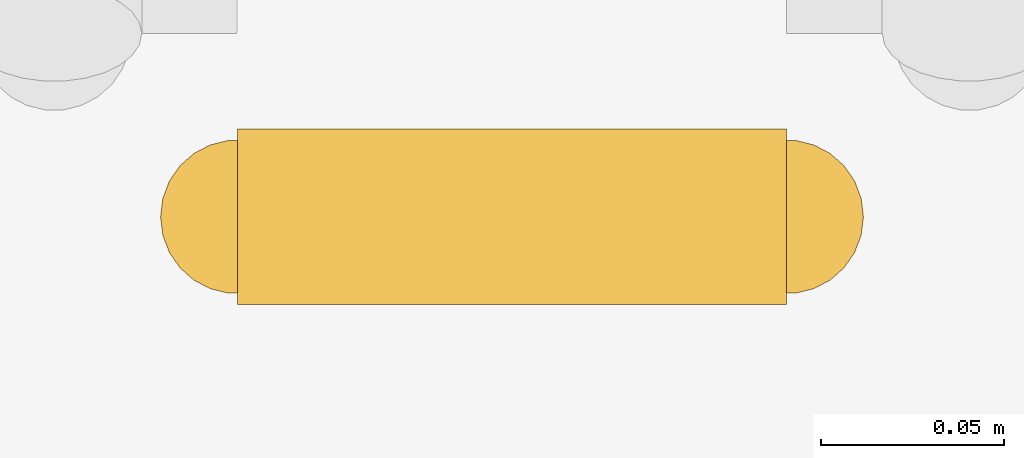
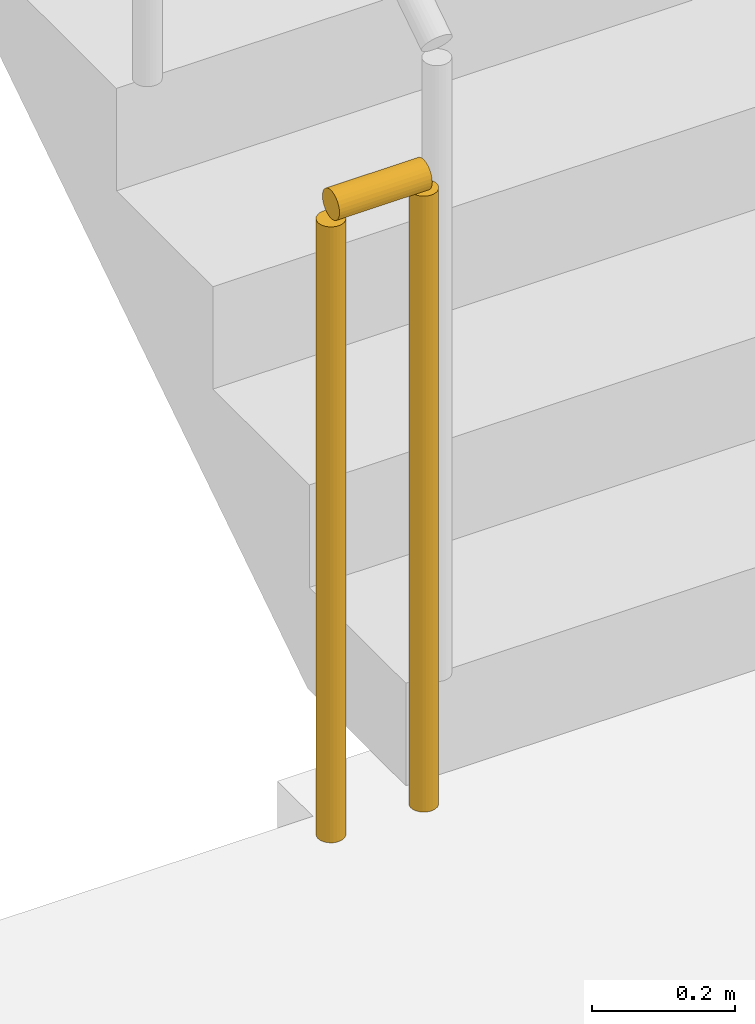
# One storey, part 15 of 20: 1 railing.
"""IFC4 building model written with IfcOpenShell, lengths in metres."""

from ifc_helpers import new_model, si_unit, direction, frame, origin, origin_2d, place, context, subcontext, project, spatial, circle, extrude, material, type_object, element, save


model = new_model("IFC4")

# Units and contexts
model_context = context("Model", 3, precision=1e-05, world=origin(), true_north=direction((0.0, 1.0)))
body_context = subcontext(model_context, "Body", "Model", "MODEL_VIEW")
ifc_project = project(units=[si_unit("LENGTHUNIT", "METRE"), si_unit("AREAUNIT", "SQUARE_METRE"), si_unit("VOLUMEUNIT", "CUBIC_METRE"), si_unit("PLANEANGLEUNIT", "RADIAN"), si_unit("MASSUNIT", "GRAM", prefix="KILO")], contexts=[model_context])

# Site, building, storey
site_placement = place(None, origin())
site = spatial("IfcSite", under=ifc_project, at=site_placement, CompositionType="ELEMENT")
building_placement = place(site_placement, origin())
building = spatial("IfcBuilding", under=site, at=building_placement, Name="Saffron Iwan Residences", CompositionType="ELEMENT")
storey_placement = place(building_placement, frame((0.0, 0.0, 127.0)))
storey = spatial("IfcBuildingStorey", under=building, at=storey_placement, Name="L33", CompositionType="ELEMENT", Elevation=127.0)

# Railing
ifc_material = material(Name="Steel S355", Category="steel")
railing_type = type_object("IfcRailingType", Name="Stair guard 1100", PredefinedType="GUARDRAIL", material=ifc_material)
railing_placement = place(storey_placement, frame((31.25, 67.800048828125, 0.0)))
element("IfcRailing", 1, at=railing_placement, inside=storey, type_object=railing_type, Name="L33 ST-W stair guard 2", PredefinedType="GUARDRAIL", context=body_context, shape_type="SweptSolid", body=[
    extrude(circle(Radius=0.02392578125, at=origin_2d()), frame((0.0, 0.0, 1.076171875), z_axis=(-1.0, 0.0, 0.0), x_axis=(0.0, -1.0, 0.0)), (0.0, 0.0, 1.0), 0.14990234375),
    extrude(circle(Radius=0.02099609375, at=origin_2d()), origin(), (0.0, 0.0, 1.0), 1.052001953125),
    extrude(circle(Radius=0.02099609375, at=origin_2d()), frame((-0.14990234375, 0.0, 0.0)), (0.0, 0.0, 1.0), 1.052001953125),
])

save(model, "model.ifc")
